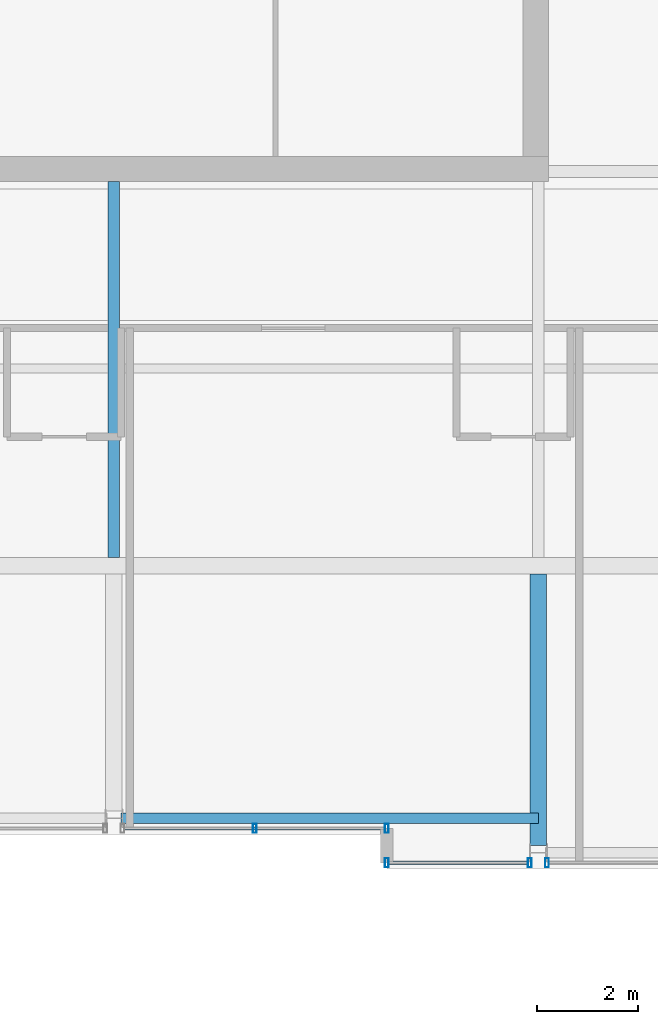
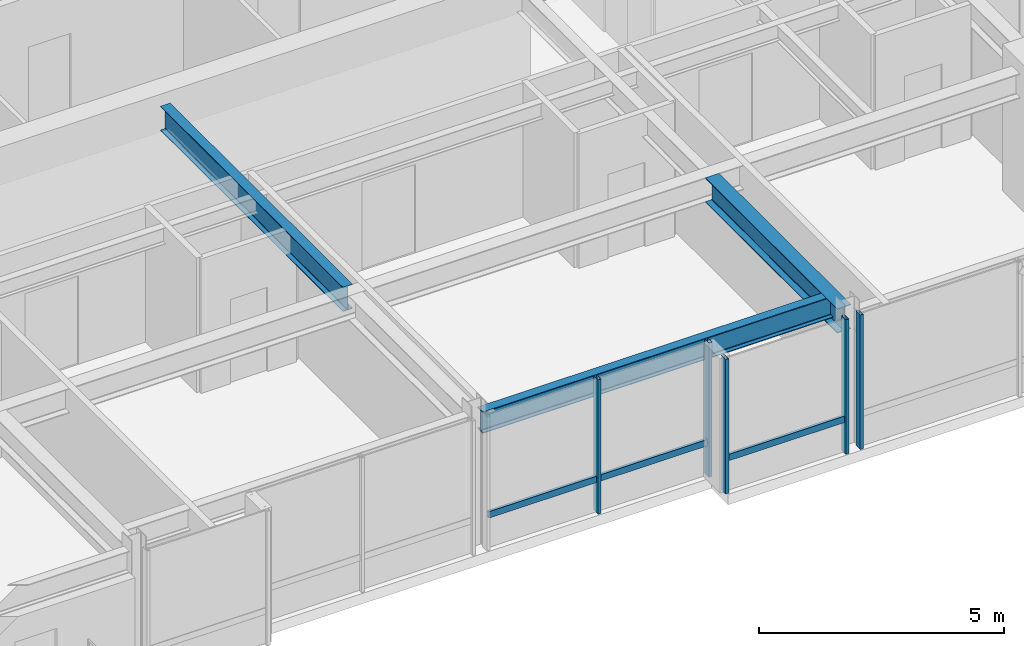
# One storey, part 9 of 34: 7 members, 3 beams, 3 elements without a shape of their own.
"""IFC4 building model written with IfcOpenShell, lengths in metres."""

from ifc_helpers import new_model, si_unit, direction, frame, origin, origin_2d, place, context, subcontext, project, spatial, hollow_rectangle, i_section, extrude, material, layer, layer_set, material_profile, profile_set, type_object, element, aggregate, save


model = new_model("IFC4")

# Units and contexts
model_context = context("Model", 3, precision=1e-05, world=origin(), true_north=direction((0.0, 1.0)))
body_context = subcontext(model_context, "Body", "Model", "MODEL_VIEW")
ifc_project = project(units=[si_unit("LENGTHUNIT", "METRE"), si_unit("AREAUNIT", "SQUARE_METRE"), si_unit("VOLUMEUNIT", "CUBIC_METRE"), si_unit("PLANEANGLEUNIT", "RADIAN"), si_unit("MASSUNIT", "GRAM", prefix="KILO")], contexts=[model_context])

# Site, building, storey
site_placement = place(None, origin())
site = spatial("IfcSite", under=ifc_project, at=site_placement, CompositionType="ELEMENT")
building_placement = place(site_placement, origin())
building = spatial("IfcBuilding", under=site, at=building_placement, Name="Drelvath Grand Hotel", CompositionType="ELEMENT")
storey_placement = place(building_placement, frame((0.0, 0.0, 290.550048828125)))
storey = spatial("IfcBuildingStorey", under=building, at=storey_placement, Name="L76", CompositionType="ELEMENT", Elevation=290.550048828125)

# Curtain wall, member
ifc_material_1 = material(Name="Platinum-Mist Anodised Aluminium Frame", Category="aluminium")
ifc_layer = layer(ifc_material_1, 0.199951171875)
ifc_layer_set = layer_set([ifc_layer], Name="Platinum-Mist Anodised Aluminium Frame")
curtain_wall_type = type_object("IfcCurtainWallType", Name="Stick Curtain Wall CW-05 Platinum Mist High-Rise", PredefinedType="NOTDEFINED", material=ifc_layer_set)
curtain_wall_1_placement = place(storey_placement, origin())
curtain_wall_1 = element("IfcCurtainWall", 1, at=curtain_wall_1_placement, inside=storey, type_object=curtain_wall_type, Name="L76 CW-05 Curtain Wall CW05-L76-SE1", PredefinedType="NOTDEFINED")
ifc_material_profile_1 = material_profile(ifc_material_1, hollow_rectangle(XDim=0.06494140625, YDim=0.159912109375, WallThickness=0.00390625, at=origin_2d()), Name="HSS160X65X4")
ifc_profile_set_1 = profile_set([ifc_material_profile_1], Name="Platinum-Mist Anodised Aluminium Frame")
member_type_1 = type_object("IfcMemberType", Name="Curtain Wall Horizontal Transom CW-05 HSS160X65X4", PredefinedType="USERDEFINED", material=ifc_profile_set_1)
member_1_placement = place(storey_placement, frame((8.18994140625, 4.919921875, 0.83740234375), z_axis=(-1.0, 0.0, 0.0), x_axis=(0.0, -1.0, 0.0)))
member_1 = element("IfcMember", 2, at=member_1_placement, type_object=member_type_1, Name="CW05-L76-SE1 Sill Transom", ObjectType="TRANSOM", PredefinedType="USERDEFINED", context=body_context, shape_type="SweptSolid", body=[
    extrude(hollow_rectangle(XDim=0.06494140625, YDim=0.159912109375, WallThickness=0.00390625, at=origin_2d()), origin(), (0.0, 0.0, 1.0), 2.75),
])

curtain_wall_2_placement = place(storey_placement, origin())
curtain_wall_2 = element("IfcCurtainWall", 3, at=curtain_wall_2_placement, inside=storey, type_object=curtain_wall_type, Name="L76 CW-05 Curtain Wall CW05-L76-SM2", PredefinedType="NOTDEFINED")
member_2_placement = place(storey_placement, frame((5.360107421875, 5.60009765625, 0.83740234375), z_axis=(-1.0, 0.0, 0.0), x_axis=(0.0, -1.0, 0.0)))
member_2 = element("IfcMember", 4, at=member_2_placement, type_object=member_type_1, Name="CW05-L76-SM2 Sill Transom", ObjectType="TRANSOM", PredefinedType="USERDEFINED", context=body_context, shape_type="SweptSolid", body=[
    extrude(hollow_rectangle(XDim=0.06494140625, YDim=0.159912109375, WallThickness=0.00390625, at=origin_2d()), origin(), (0.0, 0.0, 1.0), 5.14990234375),
])

# Member
ifc_material_profile_2 = material_profile(ifc_material_1, hollow_rectangle(XDim=0.074951171875, YDim=0.179931640625, WallThickness=0.0048828125, at=origin_2d()), Name="HSS180X75X5")
ifc_profile_set_2 = profile_set([ifc_material_profile_2], Name="Platinum-Mist Anodised Aluminium Frame")
member_type_2 = type_object("IfcMemberType", Name="Curtain Wall Vertical Mullion CW-05 HSS180X75X5", PredefinedType="MULLION", material=ifc_profile_set_2)
member_3_placement = place(storey_placement, frame((8.22998046875, 4.919921875, 0.0), z_axis=(0.0, 0.0, 1.0), x_axis=(1.0, 0.0, 0.0)))
member_3 = element("IfcMember", 5, at=member_3_placement, type_object=member_type_2, Name="CW05-L76-SE1 Mullion 1", PredefinedType="MULLION", context=body_context, shape_type="SweptSolid", body=[
    extrude(hollow_rectangle(XDim=0.074951171875, YDim=0.179931640625, WallThickness=0.0048828125, at=origin_2d()), origin(), (0.0, 0.0, 1.0), 3.349853515625),
])

member_4_placement = place(storey_placement, frame((5.39990234375, 4.919921875, 0.0), z_axis=(0.0, 0.0, 1.0), x_axis=(1.0, 0.0, 0.0)))
member_4 = element("IfcMember", 6, at=member_4_placement, type_object=member_type_2, Name="CW05-L76-SE1 Mullion 2", PredefinedType="MULLION", context=body_context, shape_type="SweptSolid", body=[
    extrude(hollow_rectangle(XDim=0.074951171875, YDim=0.179931640625, WallThickness=0.0048828125, at=origin_2d()), origin(), (0.0, 0.0, 1.0), 3.349853515625),
])

aggregate(curtain_wall_1, [member_3, member_4, member_1])

# Curtain wall, member
curtain_wall_3_placement = place(storey_placement, origin())
curtain_wall_3 = element("IfcCurtainWall", 7, at=curtain_wall_3_placement, inside=storey, type_object=curtain_wall_type, Name="L76 CW-05 Curtain Wall CW05-L76-SE2", PredefinedType="NOTDEFINED")
member_5_placement = place(storey_placement, frame((8.570068359375, 4.919921875, 0.0), z_axis=(0.0, 0.0, 1.0), x_axis=(1.0, 0.0, 0.0)))
member_5 = element("IfcMember", 8, at=member_5_placement, type_object=member_type_2, Name="CW05-L76-SE2 Mullion 3", PredefinedType="MULLION", context=body_context, shape_type="SweptSolid", body=[
    extrude(hollow_rectangle(XDim=0.074951171875, YDim=0.179931640625, WallThickness=0.0048828125, at=origin_2d()), origin(), (0.0, 0.0, 1.0), 3.349853515625),
])
aggregate(curtain_wall_3, [member_5])

# Member
member_6_placement = place(storey_placement, frame((5.39990234375, 5.60009765625, 0.0), z_axis=(0.0, 0.0, 1.0), x_axis=(1.0, 0.0, 0.0)))
member_6 = element("IfcMember", 9, at=member_6_placement, type_object=member_type_2, Name="CW05-L76-SM2 Mullion 1", PredefinedType="MULLION", context=body_context, shape_type="SweptSolid", body=[
    extrude(hollow_rectangle(XDim=0.074951171875, YDim=0.179931640625, WallThickness=0.0048828125, at=origin_2d()), origin(), (0.0, 0.0, 1.0), 3.349853515625),
])

member_7_placement = place(storey_placement, frame((2.78515625, 5.60009765625, 0.0), z_axis=(0.0, 0.0, 1.0), x_axis=(1.0, 0.0, 0.0)))
member_7 = element("IfcMember", 10, at=member_7_placement, type_object=member_type_2, Name="CW05-L76-SM2 Mullion 2", PredefinedType="MULLION", context=body_context, shape_type="SweptSolid", body=[
    extrude(hollow_rectangle(XDim=0.074951171875, YDim=0.179931640625, WallThickness=0.0048828125, at=origin_2d()), origin(), (0.0, 0.0, 1.0), 3.349853515625),
])

aggregate(curtain_wall_2, [member_6, member_7, member_2])

# Beams
ifc_material_2 = material(Name="Steel ASTM A992 Gr 50", Category="steel")
ifc_material_profile_3 = material_profile(ifc_material_2, i_section(OverallWidth=0.210205078125, OverallDepth=0.53662109375, WebThickness=0.010986328125, FlangeThickness=0.017333984375, FilletRadius=0.01806640625, at=origin_2d()), Name="W21X68")
ifc_profile_set_3 = profile_set([ifc_material_profile_3], Name="Steel ASTM A992 Gr 50")
beam_type_1 = type_object("IfcBeamType", Name="Perimeter Spandrel Beam W21X68", PredefinedType="SPANDREL", material=ifc_profile_set_3)
beam_1_placement = place(storey_placement, frame((0.139892578125, 5.800048828125, 3.08154296875), z_axis=(1.0, 0.0, 0.0), x_axis=(0.0, 1.0, 0.0)))
element("IfcBeam", 11, at=beam_1_placement, inside=storey, type_object=beam_type_1, Name="L76 Spandrel South Mid E", PredefinedType="SPANDREL", context=body_context, shape_type="SweptSolid", body=[
    extrude(i_section(OverallWidth=0.210205078125, OverallDepth=0.53662109375, WebThickness=0.010986328125, FlangeThickness=0.017333984375, FilletRadius=0.01806640625, at=origin_2d()), origin(), (0.0, 0.0, 1.0), 8.260009765625),
])
ifc_material_profile_4 = material_profile(ifc_material_2, i_section(OverallWidth=0.323974609375, OverallDepth=0.611083984375, WebThickness=0.0126953125, FlangeThickness=0.01904296875, FilletRadius=0.02197265625, at=origin_2d()), Name="W24X104")
ifc_profile_set_4 = profile_set([ifc_material_profile_4], Name="Steel ASTM A992 Gr 50")
beam_type_2 = type_object("IfcBeamType", Name="Primary Floor Girder W24X104", PredefinedType="BEAM", material=ifc_profile_set_4)
beam_2_placement = place(storey_placement, frame((8.39990234375, 5.260009765625, 3.04443359375), z_axis=(0.0, 1.0, 0.0), x_axis=(-1.0, 0.0, 0.0)))
element("IfcBeam", 12, at=beam_2_placement, inside=storey, type_object=beam_type_2, Name="L76 South Wing Girder 6", PredefinedType="BEAM", context=body_context, shape_type="SweptSolid", body=[
    extrude(i_section(OverallWidth=0.323974609375, OverallDepth=0.611083984375, WebThickness=0.0126953125, FlangeThickness=0.01904296875, FilletRadius=0.02197265625, at=origin_2d()), origin(), (0.0, 0.0, 1.0), 5.3779296875),
])
ifc_material_profile_5 = material_profile(ifc_material_2, i_section(OverallWidth=0.228271484375, OverallDepth=0.607666015625, WebThickness=0.01123046875, FlangeThickness=0.017333984375, FilletRadius=0.02001953125, at=origin_2d()), Name="W24X76")
ifc_profile_set_5 = profile_set([ifc_material_profile_5], Name="Steel ASTM A992 Gr 50")
beam_type_3 = type_object("IfcBeamType", Name="Primary Floor Girder W24X76", PredefinedType="BEAM", material=ifc_profile_set_5)
beam_3_placement = place(storey_placement, frame((0.0, 10.9619140625, 3.046142578125), z_axis=(0.0, 1.0, 0.0), x_axis=(-1.0, 0.0, 0.0)))
element("IfcBeam", 13, at=beam_3_placement, inside=storey, type_object=beam_type_3, Name="L76 South Core Tie 5", PredefinedType="BEAM", context=body_context, shape_type="SweptSolid", body=[
    extrude(i_section(OverallWidth=0.228271484375, OverallDepth=0.607666015625, WebThickness=0.01123046875, FlangeThickness=0.017333984375, FilletRadius=0.02001953125, at=origin_2d()), origin(), (0.0, 0.0, 1.0), 7.43798828125),
])

save(model, "model.ifc")
